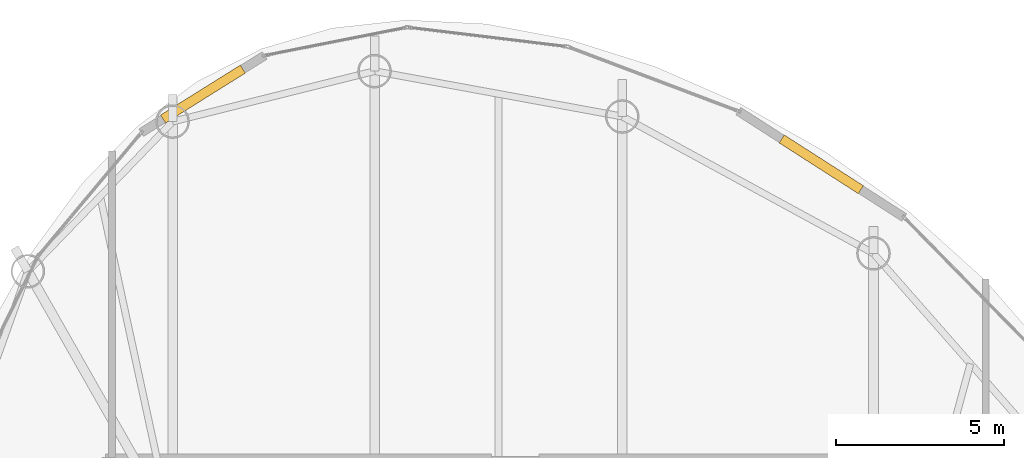
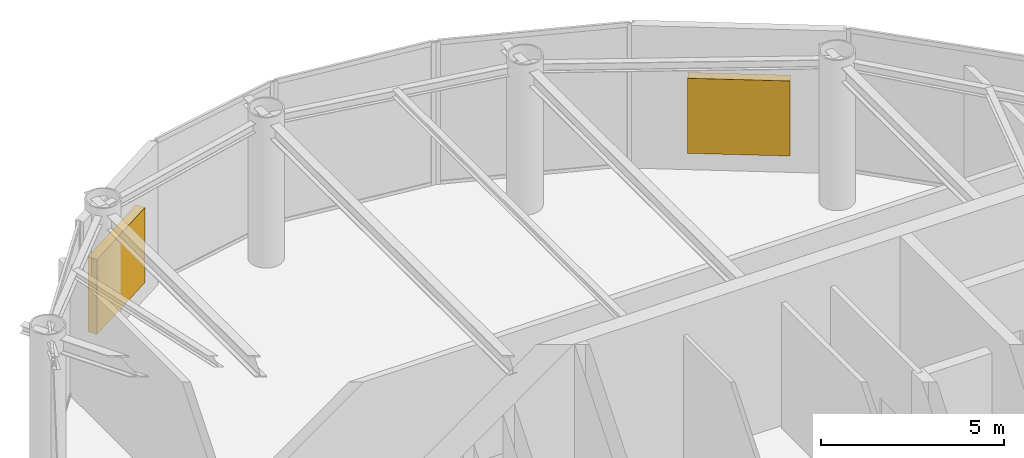
# One storey, part 23 of 23: 2 shading devices.
"""IFC4 building model written with IfcOpenShell, lengths in metres."""

import ifcopenshell
import ifcopenshell.guid

model = None  # the IFC model being written
_history = None  # IfcOwnerHistory: only IFC2X3 demands one
_inside = {}  # id of a spatial element -> (the spatial element, [elements in it])
_under = {}  # id of a project, library or spatial element -> (it, [spatial elements below it])
_declared = {}  # id of a project -> (the project, [libraries it declares])
_typed = {}  # id of a type object -> (the type object, [elements of that type])
_made_of = {}  # id of a material, layer set ... -> (it, [elements and type objects made of it])


def new_model(schema):
    """Start an empty IFC model of exactly this schema.

    Asked for "IFC4X3", IfcOpenShell would pick the latest addendum, in which some entities
    have other attributes; the version numbers below select the first issue.
    IFC2X3 requires an IfcOwnerHistory on every rooted entity: one is made here for all.
    """
    global model, _history
    if schema == "IFC4X3":
        model = ifcopenshell.file(schema_version=(4, 3, 0, 0))
    else:
        model = ifcopenshell.file(schema=schema)
    _inside.clear()
    _under.clear()
    _declared.clear()
    _typed.clear()
    _made_of.clear()
    _history = None
    if model.schema == "IFC2X3":
        org = make("IfcOrganization", Name="unknown")
        user = make(
            "IfcPersonAndOrganization",
            ThePerson=make("IfcPerson", FamilyName="unknown"),
            TheOrganization=org,
        )
        app = make(
            "IfcApplication",
            ApplicationDeveloper=org,
            Version="unknown",
            ApplicationFullName="unknown",
            ApplicationIdentifier="unknown",
        )
        _history = make(
            "IfcOwnerHistory",
            OwningUser=user,
            OwningApplication=app,
            ChangeAction="ADDED",
            CreationDate=0,
        )
    return model


def make(cls, **values):
    """One entity of the class cls with the attributes given. An attribute that is None is left unset."""
    return model.create_entity(
        cls, **{name: value for name, value in values.items() if value is not None}
    )


def rooted(cls, **values):
    """An entity with a GlobalId (a new one), such as an element, a storey or a relation."""
    return make(cls, GlobalId=ifcopenshell.guid.new(), OwnerHistory=_history, **values)


def si_unit(unit_type, name, prefix=None):
    """IfcSIUnit, for example si_unit("LENGTHUNIT", "METRE", prefix="MILLI")."""
    return make("IfcSIUnit", UnitType=unit_type, Prefix=prefix, Name=name)


def assignment(units):
    """IfcUnitAssignment: the units of a project."""
    return None if units is None else make("IfcUnitAssignment", Units=units)


def point(xyz):
    """IfcCartesianPoint."""
    return None if xyz is None else make("IfcCartesianPoint", Coordinates=xyz)


def direction(xyz):
    """IfcDirection."""
    return None if xyz is None else make("IfcDirection", DirectionRatios=xyz)


def frame(location, z_axis=None, x_axis=None):
    """IfcAxis2Placement3D, a coordinate frame: its origin and axes. An axis left out is left unset."""
    return make(
        "IfcAxis2Placement3D",
        Location=point(location),
        Axis=direction(z_axis),
        RefDirection=direction(x_axis),
    )


def frame_2d(location, x_axis=None):
    """IfcAxis2Placement2D, a coordinate frame in the plane: its origin and x axis."""
    return make(
        "IfcAxis2Placement2D", Location=point(location), RefDirection=direction(x_axis)
    )


def origin():
    """The frame at (0, 0, 0) with its axes left unset."""
    return frame((0.0, 0.0, 0.0))


def origin_2d():
    """The frame at (0, 0) in the plane with its x axis left unset."""
    return frame_2d((0.0, 0.0))


def place(relative_to, where):
    """IfcLocalPlacement: puts the frame where relative to a parent placement (None: the world)."""
    return make(
        "IfcLocalPlacement", PlacementRelTo=relative_to, RelativePlacement=where
    )


def context(
    kind, dimensions, precision=None, world=None, true_north=None, identifier=None
):
    """IfcGeometricRepresentationContext, for example the 3D "Model" context."""
    return make(
        "IfcGeometricRepresentationContext",
        ContextIdentifier=identifier,
        ContextType=kind,
        CoordinateSpaceDimension=dimensions,
        Precision=precision,
        WorldCoordinateSystem=world,
        TrueNorth=true_north,
    )


def subcontext(parent, identifier, kind, view, scale=None):
    """IfcGeometricRepresentationSubContext, for example "Body" below "Model"."""
    return make(
        "IfcGeometricRepresentationSubContext",
        ContextIdentifier=identifier,
        ContextType=kind,
        ParentContext=parent,
        TargetScale=scale,
        TargetView=view,
    )


def project(units=None, contexts=None):
    """IfcProject with its units and contexts."""
    return rooted(
        "IfcProject",
        Name="project",
        RepresentationContexts=contexts,
        UnitsInContext=assignment(units),
    )


def spatial(cls, under=None, at=None, **own):
    """A site, building, storey or space (cls), placed at a placement, below another one or the project."""
    s = rooted(cls, ObjectPlacement=at, **own)
    if under is not None:
        _under.setdefault(under.id(), (under, []))[1].append(s)
    return s


def profile(cls, at=None, kind="AREA", **sizes):
    """A parametric profile (cls). Its sizes go by their IFC names, for example OverallWidth=200.0."""
    return make(cls, ProfileType=kind, Position=at, **sizes)


def rectangle(**sizes):
    """IfcRectangleProfileDef."""
    return profile("IfcRectangleProfileDef", **sizes)


def extrude(swept, where, along, depth):
    """IfcExtrudedAreaSolid: the profile swept, set in the frame where, extruded along a direction by depth."""
    return make(
        "IfcExtrudedAreaSolid",
        SweptArea=swept,
        Position=where,
        ExtrudedDirection=direction(along),
        Depth=depth,
    )


def shape(context_of_items, identifier, shape_type, items):
    """IfcShapeRepresentation: the items that make up one representation, for example the "Body"."""
    return make(
        "IfcShapeRepresentation",
        ContextOfItems=context_of_items,
        RepresentationIdentifier=identifier,
        RepresentationType=shape_type,
        Items=items,
    )


def material(Name=None, Category=None):
    """IfcMaterial."""
    return make("IfcMaterial", Name=Name, Category=Category)


def made_of(thing, what):
    """Note that an element or type object is made of a material, layer set ...; save() writes the relation."""
    if what is not None:
        _made_of.setdefault(what.id(), (what, []))[1].append(thing)
    return thing


def type_object(cls, material=None, **own):
    """A type object (cls), such as IfcWallType, which elements share."""
    return made_of(rooted(cls, **own), material)


def element(
    cls,
    number,
    at=None,
    inside=None,
    cuts=None,
    type_object=None,
    material=None,
    context=None,
    identifier="Body",
    shape_type=None,
    held_by="IfcProductDefinitionShape",
    body=None,
    shapes=None,
    **own,
):
    """One element of the class cls, such as IfcWall. Its Tag is "e" and its number.

    at: its placement. inside: the storey or other place that contains it. cuts: it is an
    opening in that element (IfcRelVoidsElement). A single representation is given by context,
    identifier, shape_type and body (its items); several are given by shapes. held_by: the class
    of the entity that holds the representations. save() writes the other relations.
    """
    e = rooted(cls, Tag="e%d" % number, ObjectPlacement=at, **own)
    if body is not None:
        shapes = [shape(context, identifier, shape_type, body)]
    if shapes is not None:
        e.Representation = make(held_by, Representations=shapes)
    if inside is not None:
        _inside.setdefault(inside.id(), (inside, []))[1].append(e)
    if cuts is not None:
        rooted(
            "IfcRelVoidsElement", RelatingBuildingElement=cuts, RelatedOpeningElement=e
        )
    if type_object is not None:
        _typed.setdefault(type_object.id(), (type_object, []))[1].append(e)
    return made_of(e, material)


def aggregate(whole, parts):
    """IfcRelAggregates: a whole, such as a stair, and the parts it consists of."""
    return rooted("IfcRelAggregates", RelatingObject=whole, RelatedObjects=parts)


def save(model, path):
    """Write the relations noted so far, then the file.

    IfcRelAggregates (storeys below a building ...), IfcRelContainedInSpatialStructure (elements
    in a storey), IfcRelDefinesByType, IfcRelAssociatesMaterial and IfcRelDeclares: one each for
    every whole, place, type object, material and project.
    """
    for whole, parts in _under.values():
        aggregate(whole, parts)
    for where, things in _inside.values():
        rooted(
            "IfcRelContainedInSpatialStructure",
            RelatedElements=things,
            RelatingStructure=where,
        )
    for kind, things in _typed.values():
        rooted("IfcRelDefinesByType", RelatedObjects=things, RelatingType=kind)
    for what, things in _made_of.values():
        rooted("IfcRelAssociatesMaterial", RelatedObjects=things, RelatingMaterial=what)
    for by, libraries in _declared.values():
        rooted("IfcRelDeclares", RelatingContext=by, RelatedDefinitions=libraries)
    model.write(path)


model = new_model("IFC4")

# Units and contexts
model_context = context("Model", 3, precision=1e-05, world=origin(), true_north=direction((0.0, 1.0)))
body_context = subcontext(model_context, "Body", "Model", "MODEL_VIEW")
ifc_project = project(units=[si_unit("LENGTHUNIT", "METRE"), si_unit("AREAUNIT", "SQUARE_METRE"), si_unit("VOLUMEUNIT", "CUBIC_METRE"), si_unit("PLANEANGLEUNIT", "RADIAN"), si_unit("MASSUNIT", "GRAM", prefix="KILO")], contexts=[model_context])

# Site, building, storey
site_placement = place(None, origin())
site = spatial("IfcSite", under=ifc_project, at=site_placement, CompositionType="ELEMENT")
building_placement = place(site_placement, origin())
building = spatial("IfcBuilding", under=site, at=building_placement, Name="Bramvorn Convention Spire", CompositionType="ELEMENT")
storey_placement = place(building_placement, frame((0.0, 0.0, 307.5)))
storey = spatial("IfcBuildingStorey", under=building, at=storey_placement, Name="L78", CompositionType="ELEMENT", Elevation=307.5)

# Shading devices
ifc_material = material(Name="Acoustic Storm-Proof Anodised Bronze Aluminium Louvre", Category="aluminium")
shading_device_type = type_object("IfcShadingDeviceType", Name="SHD-LOUVRE-PLANT", PredefinedType="JALOUSIE", material=ifc_material)
for number, where, z_axis, x_axis, name in (
    (1, (46.10888671875, 44.127685546875, 0.550048828125), (0.0, 0.0, 1.0), (0.8416769665, -0.539981373811, 0.0), "L78 plant intake/exhaust acoustic louvre 09"),
    (2, (27.70458984375, 46.21826171875, 0.550048828125), (0.0, 0.0, 1.0), (0.847878925942, 0.530189897058, 0.0), "L78 plant intake/exhaust acoustic louvre 13"),
):
    element("IfcShadingDevice", number, at=place(storey_placement, frame(where, z_axis=z_axis, x_axis=x_axis)), inside=storey, type_object=shading_device_type, Name=name, PredefinedType="JALOUSIE", context=body_context, shape_type="SweptSolid", body=[
        extrude(rectangle(XDim=2.800048828125, YDim=0.280029296875, at=origin_2d()), origin(), (0.0, 0.0, 1.0), 2.5),
    ])

save(model, "model.ifc")
